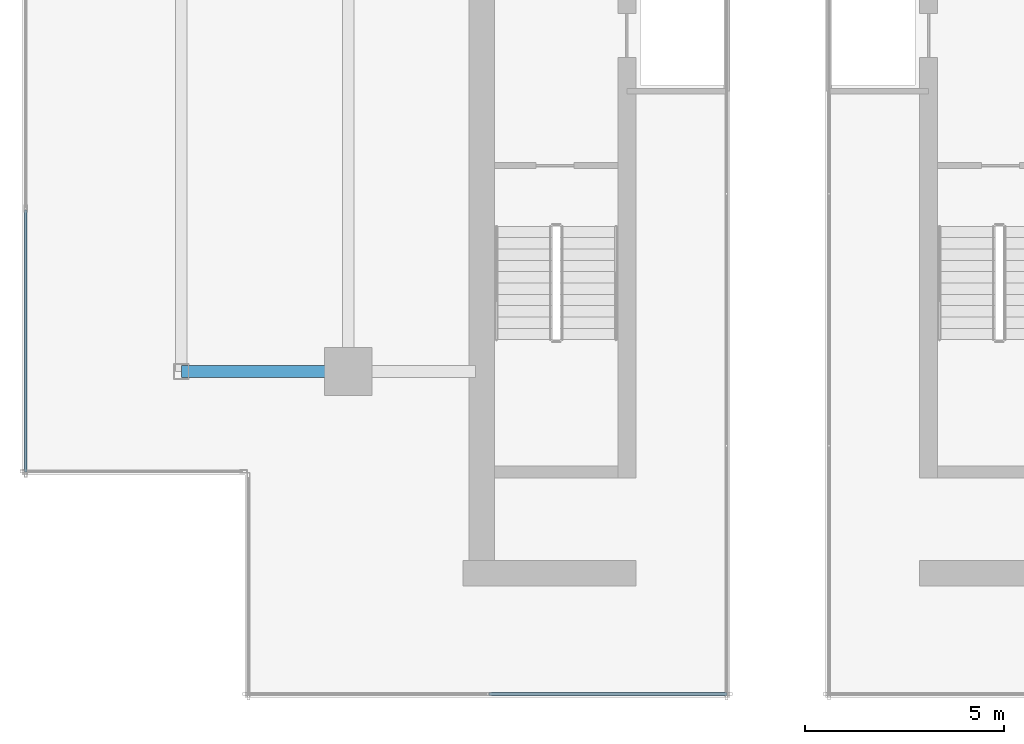
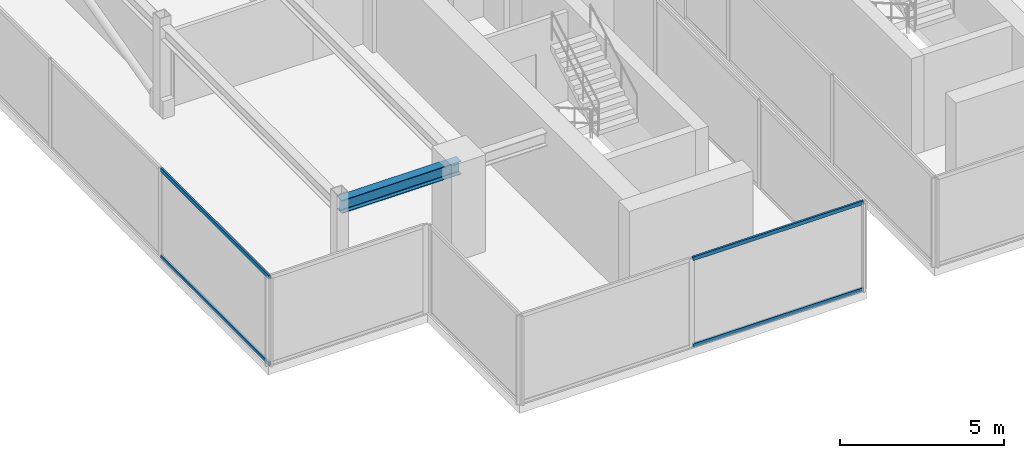
# One storey, part 3 of 25: 4 members, 1 beam, 2 elements without a shape of their own.
"""IFC4 building model written with IfcOpenShell, lengths in metres."""

from ifc_helpers import new_model, si_unit, direction, frame, origin, origin_2d, place, context, subcontext, project, spatial, hollow_rectangle, i_section, extrude, source, transform, mapped, material, material_profile, profile_set, type_object, type_shapes, element, aggregate, save


model = new_model("IFC4")

# Units and contexts
model_context = context("Model", 3, precision=1e-05, world=origin(), true_north=direction((0.0, 1.0)))
body_context = subcontext(model_context, "Body", "Model", "MODEL_VIEW")
ifc_project = project(units=[si_unit("LENGTHUNIT", "METRE"), si_unit("AREAUNIT", "SQUARE_METRE"), si_unit("VOLUMEUNIT", "CUBIC_METRE"), si_unit("PLANEANGLEUNIT", "RADIAN"), si_unit("MASSUNIT", "GRAM", prefix="KILO")], contexts=[model_context])

# Site, building, storey
site_placement = place(None, origin())
site = spatial("IfcSite", under=ifc_project, at=site_placement, CompositionType="ELEMENT")
building_placement = place(site_placement, origin())
building = spatial("IfcBuilding", under=site, at=building_placement, Name="Krantzveldt Concourse Tower", CompositionType="ELEMENT")
storey_placement = place(building_placement, frame((0.0, 0.0, 374.64990234375)))
storey = spatial("IfcBuildingStorey", under=building, at=storey_placement, Name="L92", CompositionType="ELEMENT", Elevation=374.64990234375)

# Beam
ifc_material_1 = material(Name="Steel S355JR", Category="steel")
ifc_material_profile_1 = material_profile(ifc_material_1, i_section(OverallWidth=0.300048828125, OverallDepth=0.489990234375, WebThickness=0.011962890625, FlangeThickness=0.02294921875, FilletRadius=0.027099609375, at=origin_2d()), Name="Steel S355JR", Category="steel")
ifc_profile_set_1 = profile_set([ifc_material_profile_1], Name="Steel S355JR - HEA 500")
beam_type = type_object("IfcBeamType", Name="BM-B-HEA500", PredefinedType="BEAM", material=ifc_profile_set_1)
shared_shape_1 = source(origin(), body_context, "Body", "SweptSolid", [
    extrude(i_section(OverallWidth=0.300048828125, OverallDepth=0.489990234375, WebThickness=0.011962890625, FlangeThickness=0.02294921875, FilletRadius=0.027099609375, at=origin_2d()), origin(), (0.0, 0.0, 1.0), 4.199951171875),
])
type_shapes(beam_type, [shared_shape_1])
beam_placement = place(storey_placement, frame((21.0, 15.89990234375, 3.05517578125), z_axis=(1.0, 0.0, 0.0), x_axis=(0.0, 1.0, 0.0)))
element("IfcBeam", 1, at=beam_placement, inside=storey, type_object=beam_type, Name="L92 Crown Girder WEST-6", PredefinedType="BEAM", context=body_context, shape_type="MappedRepresentation", body=[
    mapped(shared_shape_1, transform((0.0, 0.0, 0.0), x_axis=(1.0, 0.0, 0.0), y_axis=(0.0, 1.0, 0.0), z_axis=(0.0, 0.0, 1.0), scale=1.0)),
])

# Curtain wall, members
ifc_material_2 = material(Name="Anodised aluminium 6063-T6", Category="aluminium")
curtain_wall_type = type_object("IfcCurtainWallType", Name="CW7", PredefinedType="USERDEFINED", material=ifc_material_2)
curtain_wall_1_placement = place(storey_placement, origin())
curtain_wall_1 = element("IfcCurtainWall", 2, at=curtain_wall_1_placement, inside=storey, type_object=curtain_wall_type, Name="CW-L92-WEST-05", ObjectType="UNITISED CURTAIN WALL", PredefinedType="USERDEFINED")
ifc_material_profile_2 = material_profile(ifc_material_2, hollow_rectangle(XDim=0.070068359375, YDim=0.139892578125, WallThickness=0.0048828125, at=origin_2d()), Name="Anodised aluminium 6063-T6", Category="aluminium")
ifc_profile_set_2 = profile_set([ifc_material_profile_2], Name="Anodised aluminium 6063-T6 - ALU-TRAN 140x70x5")
member_type = type_object("IfcMemberType", Name="CW-TRN-150", PredefinedType="USERDEFINED", material=ifc_profile_set_2)
shared_shape_2 = source(origin(), body_context, "Body", "SweptSolid", [
    extrude(hollow_rectangle(XDim=0.070068359375, YDim=0.139892578125, WallThickness=0.0048828125, at=origin_2d()), origin(), (0.0, 0.0, 1.0), 6.594970703125),
])
member_1_placement = place(storey_placement, frame((17.090087890625, 19.965087890625, 0.03515625), z_axis=(0.0, -1.0, 0.0), x_axis=(1.0, 0.0, 0.0)))
member_1 = element("IfcMember", 3, at=member_1_placement, type_object=member_type, Name="CW-CRN transom 4.1", ObjectType="TRANSOM", PredefinedType="USERDEFINED", context=body_context, shape_type="MappedRepresentation", body=[
    mapped(shared_shape_2, transform((0.0, 0.0, 0.0), x_axis=(1.0, 0.0, 0.0), y_axis=(0.0, 1.0, 0.0), z_axis=(0.0, 0.0, 1.0), scale=1.0)),
])
member_2_placement = place(storey_placement, frame((17.090087890625, 19.965087890625, 3.26513671875), z_axis=(0.0, -1.0, 0.0), x_axis=(1.0, 0.0, 0.0)))
member_2 = element("IfcMember", 4, at=member_2_placement, type_object=member_type, Name="CW-CRN transom 4.2", ObjectType="TRANSOM", PredefinedType="USERDEFINED", context=body_context, shape_type="MappedRepresentation", body=[
    mapped(shared_shape_2, transform((0.0, 0.0, 0.0), x_axis=(1.0, 0.0, 0.0), y_axis=(0.0, 1.0, 0.0), z_axis=(0.0, 0.0, 1.0), scale=1.0)),
])
aggregate(curtain_wall_1, [member_1, member_2])

curtain_wall_2_placement = place(storey_placement, origin())
curtain_wall_2 = element("IfcCurtainWall", 5, at=curtain_wall_2_placement, inside=storey, type_object=curtain_wall_type, Name="CW-L92-WEST-00", ObjectType="UNITISED CURTAIN WALL", PredefinedType="USERDEFINED")
shared_shape_3 = source(origin(), body_context, "Body", "SweptSolid", [
    extrude(hollow_rectangle(XDim=0.070068359375, YDim=0.139892578125, WallThickness=0.0048828125, at=origin_2d()), origin(), (0.0, 0.0, 1.0), 5.994873046875),
])
type_shapes(member_type, [shared_shape_2, shared_shape_3])
member_3_placement = place(storey_placement, frame((28.735107421875, 7.7900390625, 0.03515625), z_axis=(1.0, 0.0, 0.0), x_axis=(0.0, 1.0, 0.0)))
member_3 = element("IfcMember", 6, at=member_3_placement, type_object=member_type, Name="CW-CRN transom 2.1", ObjectType="TRANSOM", PredefinedType="USERDEFINED", context=body_context, shape_type="MappedRepresentation", body=[
    mapped(shared_shape_3, transform((0.0, 0.0, 0.0), x_axis=(1.0, 0.0, 0.0), y_axis=(0.0, 1.0, 0.0), z_axis=(0.0, 0.0, 1.0), scale=1.0)),
])
member_4_placement = place(storey_placement, frame((28.735107421875, 7.7900390625, 3.26513671875), z_axis=(1.0, 0.0, 0.0), x_axis=(0.0, 1.0, 0.0)))
member_4 = element("IfcMember", 7, at=member_4_placement, type_object=member_type, Name="CW-CRN transom 2.2", ObjectType="TRANSOM", PredefinedType="USERDEFINED", context=body_context, shape_type="MappedRepresentation", body=[
    mapped(shared_shape_3, transform((0.0, 0.0, 0.0), x_axis=(1.0, 0.0, 0.0), y_axis=(0.0, 1.0, 0.0), z_axis=(0.0, 0.0, 1.0), scale=1.0)),
])
aggregate(curtain_wall_2, [member_3, member_4])

save(model, "model.ifc")
